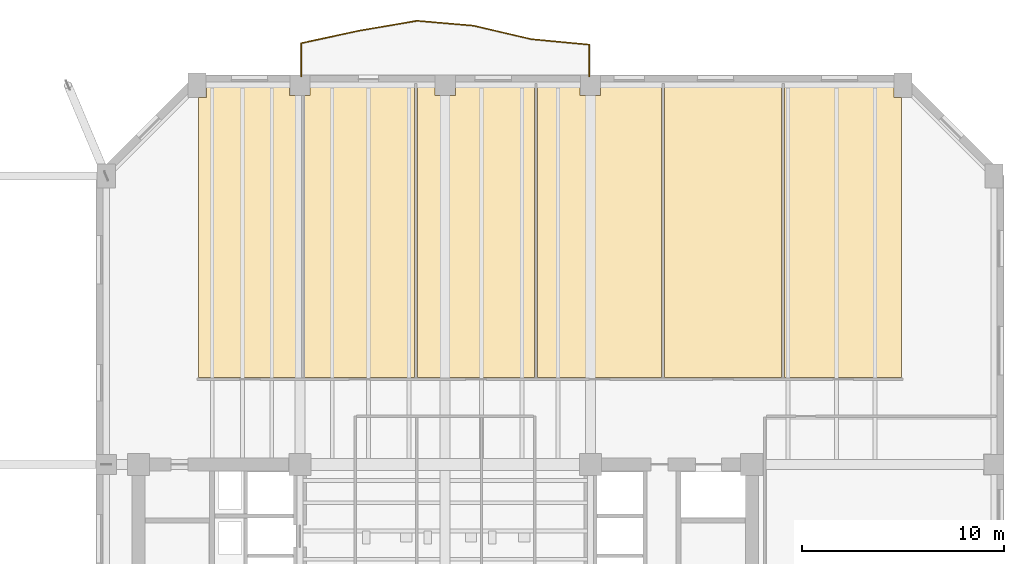
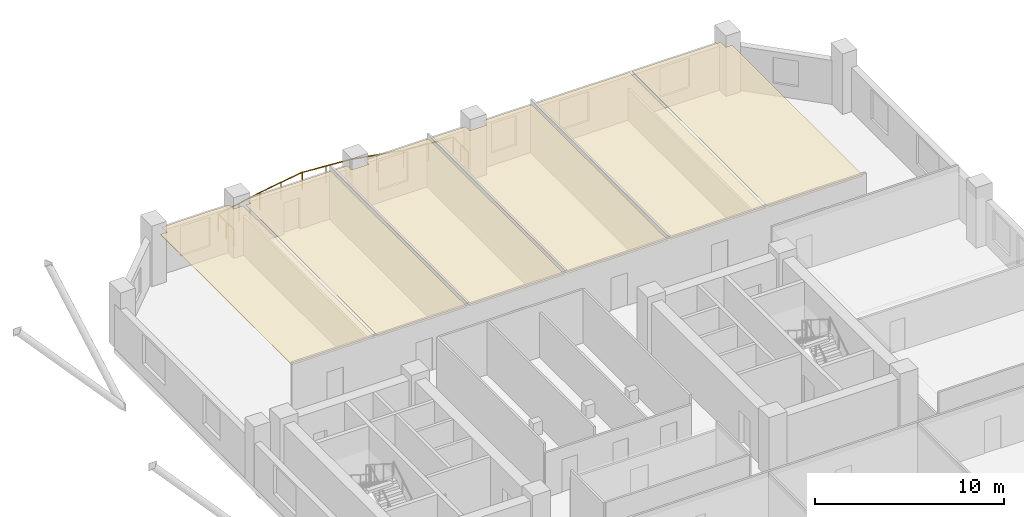
# One storey, part 11 of 12: 6 coverings, 1 railing.
"""IFC4 building model written with IfcOpenShell, lengths in metres."""

from ifc_helpers import new_model, si_unit, direction, frame, origin, origin_2d, place, context, subcontext, project, spatial, polyline, circle, outline, extrude, material, layer, layer_set, type_object, element, save


model = new_model("IFC4")

# Units and contexts
model_context = context("Model", 3, precision=1e-05, world=origin(), true_north=direction((0.0, 1.0)))
body_context = subcontext(model_context, "Body", "Model", "MODEL_VIEW")
ifc_project = project(units=[si_unit("LENGTHUNIT", "METRE"), si_unit("AREAUNIT", "SQUARE_METRE"), si_unit("VOLUMEUNIT", "CUBIC_METRE"), si_unit("PLANEANGLEUNIT", "RADIAN"), si_unit("MASSUNIT", "GRAM", prefix="KILO")], contexts=[model_context])

# Site, building, storey
site_placement = place(None, origin())
site = spatial("IfcSite", under=ifc_project, at=site_placement, CompositionType="ELEMENT")
building_placement = place(site_placement, origin())
building = spatial("IfcBuilding", under=site, at=building_placement, Name="Kranthara Brick Stack", CompositionType="ELEMENT")
storey_placement = place(building_placement, frame((0.0, 0.0, 90.60009765625)))
storey = spatial("IfcBuildingStorey", under=building, at=storey_placement, Name="L22", CompositionType="ELEMENT", Elevation=90.60009765625)

# Coverings
ifc_material_1 = material(Name="Perforated mineral-fibre acoustic ceiling tile", Category="other")
ifc_layer = layer(ifc_material_1, 0.02490234375)
ifc_layer_set = layer_set([ifc_layer], Name="Perforated mineral-fibre acoustic ceiling tile")
covering_type = type_object("IfcCoveringType", Name="COV-CEIL-ACOUSTIC", PredefinedType="CEILING", material=ifc_layer_set)
covering_1_placement = place(storey_placement, frame((0.0, 0.0, 3.179931640625)))
element("IfcCovering", 1, at=covering_1_placement, inside=storey, type_object=covering_type, Name="L22 L22 Executive Cellular Office 1 Acoustic Ceiling", PredefinedType="CEILING", context=body_context, shape_type="SweptSolid", body=[
    extrude(outline(polyline([(20.8701171875, 37.919921875), (15.780029296875, 37.919921875), (15.780029296875, 51.7900390625), (16.159912109375, 51.7900390625), (16.159912109375, 52.330078125), (20.2900390625, 52.330078125), (20.2900390625, 51.889892578125), (20.8701171875, 51.889892578125), (20.8701171875, 37.919921875)])), origin(), (0.0, 0.0, 1.0), 0.02490234375),
])
covering_2_placement = place(storey_placement, frame((0.0, 0.0, 3.179931640625)))
element("IfcCovering", 2, at=covering_2_placement, inside=storey, type_object=covering_type, Name="L22 L22 Executive Cellular Office 2 Acoustic Ceiling", PredefinedType="CEILING", context=body_context, shape_type="SweptSolid", body=[
    extrude(outline(polyline([(26.469970703125, 52.330078125), (26.469970703125, 37.919921875), (21.030029296875, 37.919921875), (21.030029296875, 51.889892578125), (21.31005859375, 51.889892578125), (21.31005859375, 52.330078125), (26.469970703125, 52.330078125)])), origin(), (0.0, 0.0, 1.0), 0.02490234375),
])
covering_3_placement = place(storey_placement, frame((0.0, 0.0, 3.179931640625)))
element("IfcCovering", 3, at=covering_3_placement, inside=storey, type_object=covering_type, Name="L22 L22 Executive Cellular Office 3 Acoustic Ceiling", PredefinedType="CEILING", context=body_context, shape_type="SweptSolid", body=[
    extrude(outline(polyline([(32.419921875, 52.330078125), (32.419921875, 37.919921875), (26.6298828125, 37.919921875), (26.6298828125, 52.330078125), (27.489990234375, 52.330078125), (27.489990234375, 51.889892578125), (28.510009765625, 51.889892578125), (28.510009765625, 52.330078125), (32.419921875, 52.330078125)])), origin(), (0.0, 0.0, 1.0), 0.02490234375),
])
covering_4_placement = place(storey_placement, frame((0.0, 0.0, 3.179931640625)))
element("IfcCovering", 4, at=covering_4_placement, inside=storey, type_object=covering_type, Name="L22 L22 Executive Cellular Office 4 Acoustic Ceiling", PredefinedType="CEILING", context=body_context, shape_type="SweptSolid", body=[
    extrude(outline(polyline([(38.719970703125, 52.330078125), (38.719970703125, 37.919921875), (32.580078125, 37.919921875), (32.580078125, 52.330078125), (34.68994140625, 52.330078125), (34.68994140625, 51.889892578125), (35.7099609375, 51.889892578125), (35.7099609375, 52.330078125), (38.719970703125, 52.330078125)])), origin(), (0.0, 0.0, 1.0), 0.02490234375),
])
covering_5_placement = place(storey_placement, frame((0.0, 0.0, 3.179931640625)))
element("IfcCovering", 5, at=covering_5_placement, inside=storey, type_object=covering_type, Name="L22 L22 Focus Study Room 5 Acoustic Ceiling", PredefinedType="CEILING", context=body_context, shape_type="SweptSolid", body=[
    extrude(outline(polyline([(44.669921875, 37.919921875), (44.669921875, 52.330078125), (38.8798828125, 52.330078125), (38.8798828125, 37.919921875), (44.669921875, 37.919921875)])), origin(), (0.0, 0.0, 1.0), 0.02490234375),
])
covering_6_placement = place(storey_placement, frame((0.0, 0.0, 3.179931640625)))
element("IfcCovering", 6, at=covering_6_placement, inside=storey, type_object=covering_type, Name="L22 L22 Staff Pantry 6 Acoustic Ceiling", PredefinedType="CEILING", context=body_context, shape_type="SweptSolid", body=[
    extrude(outline(polyline([(50.6201171875, 37.919921875), (44.830078125, 37.919921875), (44.830078125, 52.330078125), (50.239990234375, 52.330078125), (50.239990234375, 51.7900390625), (50.6201171875, 51.7900390625), (50.6201171875, 37.919921875)])), origin(), (0.0, 0.0, 1.0), 0.02490234375),
])

# Railing
ifc_material_2 = material(Name="Bronze anodised aluminium and laminated glass balustrade", Category="aluminium")
railing_type = type_object("IfcRailingType", Name="RL-BALC-1120", PredefinedType="BALUSTRADE", material=ifc_material_2)
railing_placement = place(storey_placement, frame((20.860107421875, 52.840087890625, 0.0)))
element("IfcRailing", 7, at=railing_placement, inside=storey, type_object=railing_type, Name="L22 North Rippling Balcony Balustrade", PredefinedType="BALUSTRADE", context=body_context, shape_type="SweptSolid", body=[
    extrude(circle(Radius=0.02392578125, at=origin_2d()), frame((0.0, 0.0, 1.09619140625), z_axis=(0.0, 1.0, 0.0), x_axis=(-1.0, 0.0, 0.0)), (0.0, 0.0, 1.0), 1.643310546875),
    extrude(circle(Radius=0.02392578125, at=origin_2d()), frame((0.0, 1.643310546875, 1.09619140625), z_axis=(0.977479825802, 0.211028884634, 0.0), x_axis=(-0.211028884634, 0.977479825802, 0.0)), (0.0, 0.0, 1.0), 2.945556640625),
    extrude(circle(Radius=0.02392578125, at=origin_2d()), frame((2.879150390625, 2.264892578125, 1.09619140625), z_axis=(0.985748990032, 0.168222854128, 0.0), x_axis=(-0.168222854128, 0.985748990032, 0.0)), (0.0, 0.0, 1.0), 2.908447265625),
    extrude(circle(Radius=0.02392578125, at=origin_2d()), frame((5.74609375, 2.754150390625, 1.09619140625), z_axis=(0.996289283035, -0.086067790194, 0.0), x_axis=(0.086067790194, 0.996289283035, 0.0)), (0.0, 0.0, 1.0), 2.7939453125),
    extrude(circle(Radius=0.02392578125, at=origin_2d()), frame((8.52978515625, 2.513671875, 1.09619140625), z_axis=(0.973732347565, -0.227695663785, 0.0), x_axis=(0.227695663785, 0.973732347565, 0.0)), (0.0, 0.0, 1.0), 2.947509765625),
    extrude(circle(Radius=0.02392578125, at=origin_2d()), frame((11.39990234375, 1.842529296875, 1.09619140625), z_axis=(0.995609679925, -0.09360216472, 0.0), x_axis=(0.09360216472, 0.995609679925, 0.0)), (0.0, 0.0, 1.0), 2.892578125),
    extrude(circle(Radius=0.02392578125, at=origin_2d()), frame((14.27978515625, 1.57177734375, 1.09619140625), z_axis=(0.0, -1.0, 0.0), x_axis=(1.0, 0.0, 0.0)), (0.0, 0.0, 1.0), 1.57177734375),
    extrude(circle(Radius=0.02099609375, at=origin_2d()), origin(), (0.0, 0.0, 1.0), 1.072021484375),
    extrude(circle(Radius=0.02099609375, at=origin_2d()), frame((0.0, 0.82177734375, 0.0)), (0.0, 0.0, 1.0), 1.072021484375),
    extrude(circle(Radius=0.02099609375, at=origin_2d()), frame((0.0, 1.643310546875, 0.0)), (0.0, 0.0, 1.0), 1.072021484375),
    extrude(circle(Radius=0.02099609375, at=origin_2d()), frame((1.439453125, 1.9541015625, 0.0)), (0.0, 0.0, 1.0), 1.072021484375),
    extrude(circle(Radius=0.02099609375, at=origin_2d()), frame((2.879150390625, 2.264892578125, 0.0)), (0.0, 0.0, 1.0), 1.072021484375),
    extrude(circle(Radius=0.02099609375, at=origin_2d()), frame((4.3125, 2.509521484375, 0.0)), (0.0, 0.0, 1.0), 1.072021484375),
    extrude(circle(Radius=0.02099609375, at=origin_2d()), frame((5.74609375, 2.754150390625, 0.0)), (0.0, 0.0, 1.0), 1.072021484375),
    extrude(circle(Radius=0.02099609375, at=origin_2d()), frame((7.137939453125, 2.6337890625, 0.0)), (0.0, 0.0, 1.0), 1.072021484375),
    extrude(circle(Radius=0.02099609375, at=origin_2d()), frame((8.52978515625, 2.513671875, 0.0)), (0.0, 0.0, 1.0), 1.072021484375),
    extrude(circle(Radius=0.02099609375, at=origin_2d()), frame((9.96484375, 2.17822265625, 0.0)), (0.0, 0.0, 1.0), 1.072021484375),
    extrude(circle(Radius=0.02099609375, at=origin_2d()), frame((11.39990234375, 1.842529296875, 0.0)), (0.0, 0.0, 1.0), 1.072021484375),
    extrude(circle(Radius=0.02099609375, at=origin_2d()), frame((12.83984375, 1.70703125, 0.0)), (0.0, 0.0, 1.0), 1.072021484375),
    extrude(circle(Radius=0.02099609375, at=origin_2d()), frame((14.27978515625, 1.57177734375, 0.0)), (0.0, 0.0, 1.0), 1.072021484375),
    extrude(circle(Radius=0.02099609375, at=origin_2d()), frame((14.27978515625, 0.785888671875, 0.0)), (0.0, 0.0, 1.0), 1.072021484375),
    extrude(circle(Radius=0.02099609375, at=origin_2d()), frame((14.27978515625, 0.0, 0.0)), (0.0, 0.0, 1.0), 1.072021484375),
])

save(model, "model.ifc")
